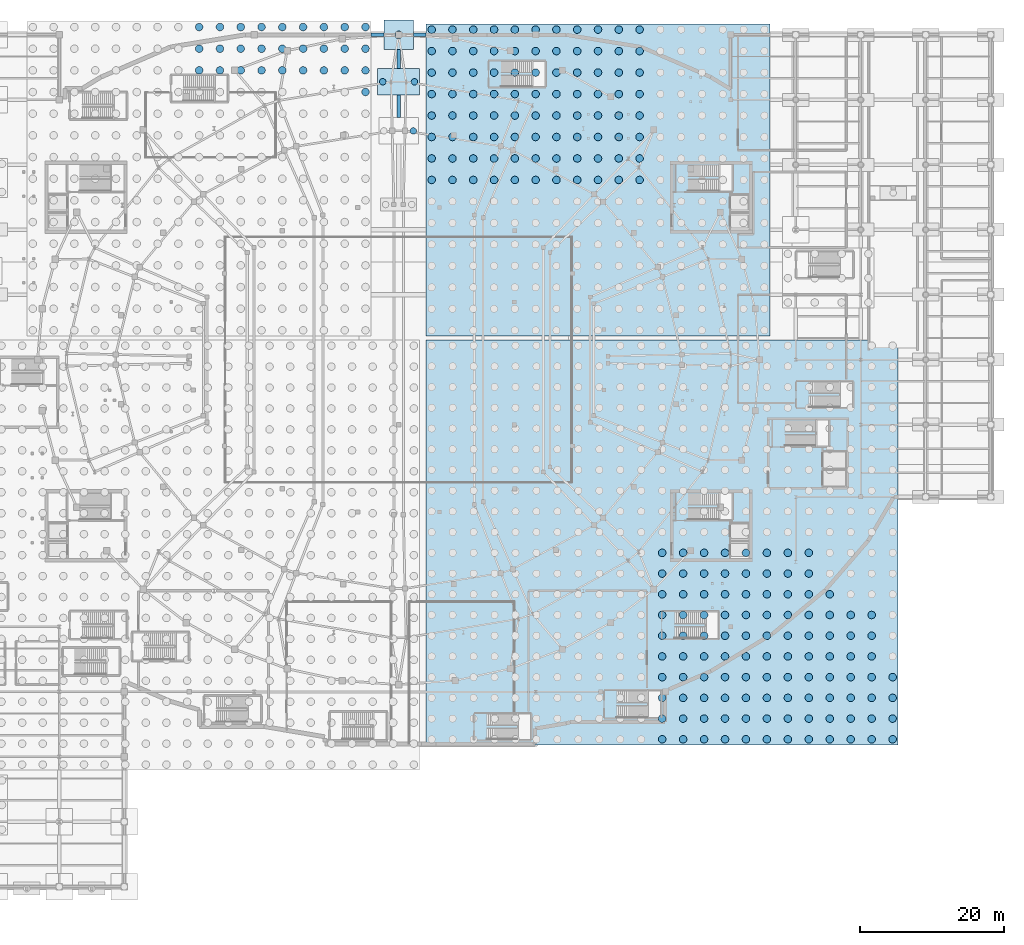
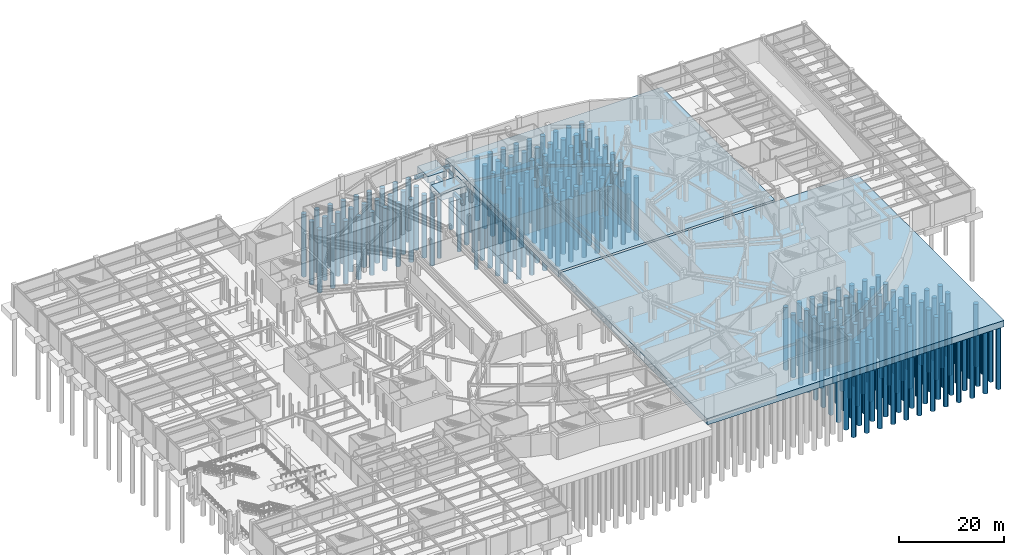
# One storey, part 7 of 56: 226 piles, 8 footings.
"""IFC4 building model written with IfcOpenShell, lengths in metres."""

from ifc_helpers import new_model, si_unit, direction, frame, origin, origin_2d, place, context, subcontext, project, spatial, polyline, rectangle, circle, outline, extrude, material, material_profile, profile_set, type_object, element, save


model = new_model("IFC4")

# Units and contexts
model_context = context("Model", 3, precision=1e-05, world=origin(), true_north=direction((0.0, 1.0)))
body_context = subcontext(model_context, "Body", "Model", "MODEL_VIEW")
ifc_project = project(units=[si_unit("LENGTHUNIT", "METRE"), si_unit("AREAUNIT", "SQUARE_METRE"), si_unit("VOLUMEUNIT", "CUBIC_METRE"), si_unit("PLANEANGLEUNIT", "RADIAN"), si_unit("MASSUNIT", "GRAM", prefix="KILO")], contexts=[model_context])

# Site, building, storey
site_placement = place(None, origin())
site = spatial("IfcSite", under=ifc_project, at=site_placement, CompositionType="ELEMENT")
building_placement = place(site_placement, origin())
building = spatial("IfcBuilding", under=site, at=building_placement, Name="Glasvene Arena", CompositionType="ELEMENT")
storey_placement = place(building_placement, frame((0.0, 0.0, -5.39990234375)))
storey = spatial("IfcBuildingStorey", under=building, at=storey_placement, Name="B1", CompositionType="ELEMENT", Elevation=-5.39990234375)

# Footings
ifc_material = material(Name="Concrete C40/50", Category="concrete")
footing_type_1 = type_object("IfcFootingType", Name="FT-FB-500x800", PredefinedType="FOOTING_BEAM", material=ifc_material)
footing_1_placement = place(storey_placement, frame((92.0, 108.091064453125, -1.25)))
element("IfcFooting", 1, at=footing_1_placement, inside=storey, type_object=footing_type_1, Name="Ground tie beam 0055", PredefinedType="FOOTING_BEAM", context=body_context, shape_type="SweptSolid", body=[
    extrude(outline(polyline([(-0.25, -1.549072265625), (0.25, -1.549072265625), (0.25, 1.548828125), (-0.25, 1.548828125), (-0.25, -1.549072265625)])), origin(), (0.0, 0.0, 1.0), 0.7998046875),
])
footing_2_placement = place(storey_placement, frame((92.0, 114.64501953125, -1.25)))
element("IfcFooting", 2, at=footing_2_placement, inside=storey, type_object=footing_type_1, Name="Ground tie beam 0056", PredefinedType="FOOTING_BEAM", context=body_context, shape_type="SweptSolid", body=[
    extrude(outline(polyline([(-0.25, -1.304931640625), (0.25, -1.304931640625), (0.25, 1.304931640625), (-0.25, 1.304931640625), (-0.25, -1.304931640625)])), origin(), (0.0, 0.0, 1.0), 0.7998046875),
])
footing_3_placement = place(storey_placement, frame((89.071044921875, 118.0, -1.25)))
element("IfcFooting", 3, at=footing_3_placement, inside=storey, type_object=footing_type_1, Name="Ground tie beam 0147", PredefinedType="FOOTING_BEAM", context=body_context, shape_type="SweptSolid", body=[
    extrude(outline(polyline([(-0.879150390625, -0.25), (0.87890625, -0.25), (0.87890625, 0.25), (-0.879150390625, 0.25), (-0.879150390625, -0.25)])), origin(), (0.0, 0.0, 1.0), 0.7998046875),
])
footing_4_placement = place(storey_placement, frame((94.928955078125, 118.0, -1.25)))
element("IfcFooting", 4, at=footing_4_placement, inside=storey, type_object=footing_type_1, Name="Ground tie beam 0148", PredefinedType="FOOTING_BEAM", context=body_context, shape_type="SweptSolid", body=[
    extrude(outline(polyline([(-0.87890625, -0.25), (0.879150390625, -0.25), (0.879150390625, 0.25), (-0.87890625, 0.25), (-0.87890625, -0.25)])), origin(), (0.0, 0.0, 1.0), 0.7998046875),
])
footing_type_2 = type_object("IfcFootingType", Name="FT-PC-410x410", PredefinedType="PILE_CAP", material=ifc_material)
footing_5_placement = place(storey_placement, frame((92.0, 118.0, -1.5), z_axis=(0.0, 0.0, 1.0), x_axis=(1.0, 0.0, 0.0)))
element("IfcFooting", 5, at=footing_5_placement, inside=storey, type_object=footing_type_2, Name="Pile cap 095", PredefinedType="PILE_CAP", context=body_context, shape_type="SweptSolid", body=[
    extrude(rectangle(XDim=4.10009765625, YDim=4.10009765625, at=origin_2d()), origin(), (0.0, 0.0, 1.0), 1.5),
])
footing_type_3 = type_object("IfcFootingType", Name="FT-PC-4763x4320", PredefinedType="PILE_CAP", material=ifc_material)
footing_6_placement = place(storey_placement, frame((119.62109375, 97.89501953125, -1.5), z_axis=(0.0, 0.0, 1.0), x_axis=(1.0, 0.0, 0.0)))
element("IfcFooting", 6, at=footing_6_placement, inside=storey, type_object=footing_type_3, Name="Pile cap 051", PredefinedType="PILE_CAP", context=body_context, shape_type="SweptSolid", body=[
    extrude(rectangle(XDim=47.6259765625, YDim=43.201904296875, at=origin_2d()), origin(), (0.0, 0.0, 1.0), 1.5),
])
footing_type_4 = type_object("IfcFootingType", Name="FT-PC-579x370", PredefinedType="PILE_CAP", material=ifc_material)
footing_7_placement = place(storey_placement, frame((92.0, 111.489990234375, -1.5), z_axis=(0.0, 0.0, 1.0), x_axis=(1.0, 0.0, 0.0)))
element("IfcFooting", 7, at=footing_7_placement, inside=storey, type_object=footing_type_4, Name="Pile cap 094", PredefinedType="PILE_CAP", context=body_context, shape_type="SweptSolid", body=[
    extrude(rectangle(XDim=5.7880859375, YDim=3.699951171875, at=origin_2d()), origin(), (0.0, 0.0, 1.0), 1.5),
])
footing_type_5 = type_object("IfcFootingType", Name="FT-PC-6539x5607", PredefinedType="PILE_CAP", material=ifc_material)
footing_8_placement = place(storey_placement, frame((128.50390625, 47.68701171875, -1.5), z_axis=(0.0, 0.0, 1.0), x_axis=(1.0, 0.0, 0.0)))
element("IfcFooting", 8, at=footing_8_placement, inside=storey, type_object=footing_type_5, Name="Pile cap 023", PredefinedType="PILE_CAP", context=body_context, shape_type="SweptSolid", body=[
    extrude(rectangle(XDim=65.39208984375, YDim=56.073974609375, at=origin_2d()), origin(), (0.0, 0.0, 1.0), 1.5),
])

# Piles
ifc_material_profile_1 = material_profile(ifc_material, circle(Radius=0.52490234375, at=origin_2d()), Name="BORED PILE 1050")
ifc_profile_set_1 = profile_set([ifc_material_profile_1], Name="Concrete C40/50")
pile_type_1 = type_object("IfcPileType", Name="PL-BP1050", PredefinedType="BORED", material=ifc_profile_set_1)
for number, where, z_axis, x_axis, name in (
    (9, (128.50390625, 20.425048828125, -1.35009765625), (0.0, 0.0, -1.0), (1.0, 0.0, 0.0), "Bored pile 0810"),
    (10, (128.50390625, 23.294677734375, -1.35009765625), (0.0, 0.0, -1.0), (1.0, 0.0, 0.0), "Bored pile 0811"),
    (11, (128.50390625, 26.164306640625, -1.35009765625), (0.0, 0.0, -1.0), (1.0, 0.0, 0.0), "Bored pile 0812"),
    (12, (128.50390625, 29.0341796875, -1.35009765625), (0.0, 0.0, -1.0), (1.0, 0.0, 0.0), "Bored pile 0813"),
    (13, (128.50390625, 31.90380859375, -1.35009765625), (0.0, 0.0, -1.0), (1.0, 0.0, 0.0), "Bored pile 0814"),
    (14, (128.50390625, 34.7734375, -1.35009765625), (0.0, 0.0, -1.0), (1.0, 0.0, 0.0), "Bored pile 0815"),
    (15, (128.50390625, 37.64306640625, -1.35009765625), (0.0, 0.0, -1.0), (1.0, 0.0, 0.0), "Bored pile 0816"),
    (16, (128.50390625, 40.5126953125, -1.35009765625), (0.0, 0.0, -1.0), (1.0, 0.0, 0.0), "Bored pile 0817"),
    (17, (128.50390625, 43.382568359375, -1.35009765625), (0.0, 0.0, -1.0), (1.0, 0.0, 0.0), "Bored pile 0818"),
    (18, (128.50390625, 46.252197265625, -1.35009765625), (0.0, 0.0, -1.0), (1.0, 0.0, 0.0), "Bored pile 0819"),
    (19, (131.406005859375, 20.425048828125, -1.35009765625), (0.0, 0.0, -1.0), (1.0, 0.0, 0.0), "Bored pile 0830"),
    (20, (131.406005859375, 23.294677734375, -1.35009765625), (0.0, 0.0, -1.0), (1.0, 0.0, 0.0), "Bored pile 0831"),
    (21, (131.406005859375, 26.164306640625, -1.35009765625), (0.0, 0.0, -1.0), (1.0, 0.0, 0.0), "Bored pile 0832"),
    (22, (131.406005859375, 29.0341796875, -1.35009765625), (0.0, 0.0, -1.0), (1.0, 0.0, 0.0), "Bored pile 0833"),
    (23, (131.406005859375, 31.90380859375, -1.35009765625), (0.0, 0.0, -1.0), (1.0, 0.0, 0.0), "Bored pile 0834"),
    (24, (131.406005859375, 34.7734375, -1.35009765625), (0.0, 0.0, -1.0), (1.0, 0.0, 0.0), "Bored pile 0835"),
    (25, (131.406005859375, 37.64306640625, -1.35009765625), (0.0, 0.0, -1.0), (1.0, 0.0, 0.0), "Bored pile 0836"),
    (26, (131.406005859375, 40.5126953125, -1.35009765625), (0.0, 0.0, -1.0), (1.0, 0.0, 0.0), "Bored pile 0837"),
    (27, (131.406005859375, 43.382568359375, -1.35009765625), (0.0, 0.0, -1.0), (1.0, 0.0, 0.0), "Bored pile 0838"),
    (28, (131.406005859375, 46.252197265625, -1.35009765625), (0.0, 0.0, -1.0), (1.0, 0.0, 0.0), "Bored pile 0839"),
    (29, (134.307861328125, 20.425048828125, -1.35009765625), (0.0, 0.0, -1.0), (1.0, 0.0, 0.0), "Bored pile 0850"),
    (30, (134.307861328125, 23.294677734375, -1.35009765625), (0.0, 0.0, -1.0), (1.0, 0.0, 0.0), "Bored pile 0851"),
    (31, (134.307861328125, 26.164306640625, -1.35009765625), (0.0, 0.0, -1.0), (1.0, 0.0, 0.0), "Bored pile 0852"),
    (32, (134.307861328125, 29.0341796875, -1.35009765625), (0.0, 0.0, -1.0), (1.0, 0.0, 0.0), "Bored pile 0853"),
    (33, (134.307861328125, 31.90380859375, -1.35009765625), (0.0, 0.0, -1.0), (1.0, 0.0, 0.0), "Bored pile 0854"),
    (34, (134.307861328125, 34.7734375, -1.35009765625), (0.0, 0.0, -1.0), (1.0, 0.0, 0.0), "Bored pile 0855"),
    (35, (134.307861328125, 37.64306640625, -1.35009765625), (0.0, 0.0, -1.0), (1.0, 0.0, 0.0), "Bored pile 0856"),
    (36, (134.307861328125, 40.5126953125, -1.35009765625), (0.0, 0.0, -1.0), (1.0, 0.0, 0.0), "Bored pile 0857"),
    (37, (134.307861328125, 43.382568359375, -1.35009765625), (0.0, 0.0, -1.0), (1.0, 0.0, 0.0), "Bored pile 0858"),
    (38, (134.307861328125, 46.252197265625, -1.35009765625), (0.0, 0.0, -1.0), (1.0, 0.0, 0.0), "Bored pile 0859"),
    (39, (137.209716796875, 20.425048828125, -1.35009765625), (0.0, 0.0, -1.0), (1.0, 0.0, 0.0), "Bored pile 0870"),
    (40, (137.209716796875, 23.294677734375, -1.35009765625), (0.0, 0.0, -1.0), (1.0, 0.0, 0.0), "Bored pile 0871"),
    (41, (137.209716796875, 26.164306640625, -1.35009765625), (0.0, 0.0, -1.0), (1.0, 0.0, 0.0), "Bored pile 0872"),
    (42, (137.209716796875, 29.0341796875, -1.35009765625), (0.0, 0.0, -1.0), (1.0, 0.0, 0.0), "Bored pile 0873"),
    (43, (137.209716796875, 31.90380859375, -1.35009765625), (0.0, 0.0, -1.0), (1.0, 0.0, 0.0), "Bored pile 0874"),
    (44, (137.209716796875, 34.7734375, -1.35009765625), (0.0, 0.0, -1.0), (1.0, 0.0, 0.0), "Bored pile 0875"),
    (45, (137.209716796875, 37.64306640625, -1.35009765625), (0.0, 0.0, -1.0), (1.0, 0.0, 0.0), "Bored pile 0876"),
    (46, (137.209716796875, 40.5126953125, -1.35009765625), (0.0, 0.0, -1.0), (1.0, 0.0, 0.0), "Bored pile 0877"),
    (47, (137.209716796875, 43.382568359375, -1.35009765625), (0.0, 0.0, -1.0), (1.0, 0.0, 0.0), "Bored pile 0878"),
    (48, (137.209716796875, 46.252197265625, -1.35009765625), (0.0, 0.0, -1.0), (1.0, 0.0, 0.0), "Bored pile 0879"),
    (49, (140.111572265625, 20.425048828125, -1.35009765625), (0.0, 0.0, -1.0), (1.0, 0.0, 0.0), "Bored pile 0890"),
    (50, (140.111572265625, 23.294677734375, -1.35009765625), (0.0, 0.0, -1.0), (1.0, 0.0, 0.0), "Bored pile 0891"),
    (51, (140.111572265625, 26.164306640625, -1.35009765625), (0.0, 0.0, -1.0), (1.0, 0.0, 0.0), "Bored pile 0892"),
    (52, (140.111572265625, 29.0341796875, -1.35009765625), (0.0, 0.0, -1.0), (1.0, 0.0, 0.0), "Bored pile 0893"),
    (53, (140.111572265625, 31.90380859375, -1.35009765625), (0.0, 0.0, -1.0), (1.0, 0.0, 0.0), "Bored pile 0894"),
    (54, (140.111572265625, 34.7734375, -1.35009765625), (0.0, 0.0, -1.0), (1.0, 0.0, 0.0), "Bored pile 0895"),
    (55, (140.111572265625, 37.64306640625, -1.35009765625), (0.0, 0.0, -1.0), (1.0, 0.0, 0.0), "Bored pile 0896"),
    (56, (140.111572265625, 40.5126953125, -1.35009765625), (0.0, 0.0, -1.0), (1.0, 0.0, 0.0), "Bored pile 0897"),
    (57, (140.111572265625, 43.382568359375, -1.35009765625), (0.0, 0.0, -1.0), (1.0, 0.0, 0.0), "Bored pile 0898"),
    (58, (140.111572265625, 46.252197265625, -1.35009765625), (0.0, 0.0, -1.0), (1.0, 0.0, 0.0), "Bored pile 0899"),
    (59, (143.013427734375, 20.425048828125, -1.35009765625), (0.0, 0.0, -1.0), (1.0, 0.0, 0.0), "Bored pile 0910"),
    (60, (143.013427734375, 23.294677734375, -1.35009765625), (0.0, 0.0, -1.0), (1.0, 0.0, 0.0), "Bored pile 0911"),
    (61, (143.013427734375, 26.164306640625, -1.35009765625), (0.0, 0.0, -1.0), (1.0, 0.0, 0.0), "Bored pile 0912"),
    (62, (143.013427734375, 29.0341796875, -1.35009765625), (0.0, 0.0, -1.0), (1.0, 0.0, 0.0), "Bored pile 0913"),
    (63, (143.013427734375, 31.90380859375, -1.35009765625), (0.0, 0.0, -1.0), (1.0, 0.0, 0.0), "Bored pile 0914"),
    (64, (143.013427734375, 34.7734375, -1.35009765625), (0.0, 0.0, -1.0), (1.0, 0.0, 0.0), "Bored pile 0915"),
    (65, (143.013427734375, 37.64306640625, -1.35009765625), (0.0, 0.0, -1.0), (1.0, 0.0, 0.0), "Bored pile 0916"),
    (66, (143.013427734375, 40.5126953125, -1.35009765625), (0.0, 0.0, -1.0), (1.0, 0.0, 0.0), "Bored pile 0917"),
    (67, (143.013427734375, 43.382568359375, -1.35009765625), (0.0, 0.0, -1.0), (1.0, 0.0, 0.0), "Bored pile 0918"),
    (68, (143.013427734375, 46.252197265625, -1.35009765625), (0.0, 0.0, -1.0), (1.0, 0.0, 0.0), "Bored pile 0919"),
    (69, (145.91552734375, 20.425048828125, -1.35009765625), (0.0, 0.0, -1.0), (1.0, 0.0, 0.0), "Bored pile 0930"),
    (70, (145.91552734375, 23.294677734375, -1.35009765625), (0.0, 0.0, -1.0), (1.0, 0.0, 0.0), "Bored pile 0931"),
    (71, (145.91552734375, 26.164306640625, -1.35009765625), (0.0, 0.0, -1.0), (1.0, 0.0, 0.0), "Bored pile 0932"),
    (72, (145.91552734375, 29.0341796875, -1.35009765625), (0.0, 0.0, -1.0), (1.0, 0.0, 0.0), "Bored pile 0933"),
    (73, (145.91552734375, 31.90380859375, -1.35009765625), (0.0, 0.0, -1.0), (1.0, 0.0, 0.0), "Bored pile 0934"),
    (74, (145.91552734375, 34.7734375, -1.35009765625), (0.0, 0.0, -1.0), (1.0, 0.0, 0.0), "Bored pile 0935"),
    (75, (145.91552734375, 37.64306640625, -1.35009765625), (0.0, 0.0, -1.0), (1.0, 0.0, 0.0), "Bored pile 0936"),
    (76, (145.91552734375, 40.5126953125, -1.35009765625), (0.0, 0.0, -1.0), (1.0, 0.0, 0.0), "Bored pile 0937"),
    (77, (145.91552734375, 43.382568359375, -1.35009765625), (0.0, 0.0, -1.0), (1.0, 0.0, 0.0), "Bored pile 0938"),
    (78, (145.91552734375, 46.252197265625, -1.35009765625), (0.0, 0.0, -1.0), (1.0, 0.0, 0.0), "Bored pile 0939"),
    (79, (148.8173828125, 20.425048828125, -1.35009765625), (0.0, 0.0, -1.0), (1.0, 0.0, 0.0), "Bored pile 0950"),
    (80, (148.8173828125, 23.294677734375, -1.35009765625), (0.0, 0.0, -1.0), (1.0, 0.0, 0.0), "Bored pile 0951"),
    (81, (148.8173828125, 26.164306640625, -1.35009765625), (0.0, 0.0, -1.0), (1.0, 0.0, 0.0), "Bored pile 0952"),
    (82, (148.8173828125, 29.0341796875, -1.35009765625), (0.0, 0.0, -1.0), (1.0, 0.0, 0.0), "Bored pile 0953"),
    (83, (148.8173828125, 31.90380859375, -1.35009765625), (0.0, 0.0, -1.0), (1.0, 0.0, 0.0), "Bored pile 0954"),
    (84, (148.8173828125, 34.7734375, -1.35009765625), (0.0, 0.0, -1.0), (1.0, 0.0, 0.0), "Bored pile 0955"),
    (85, (148.8173828125, 37.64306640625, -1.35009765625), (0.0, 0.0, -1.0), (1.0, 0.0, 0.0), "Bored pile 0956"),
    (86, (148.8173828125, 40.5126953125, -1.35009765625), (0.0, 0.0, -1.0), (1.0, 0.0, 0.0), "Bored pile 0957"),
    (87, (148.8173828125, 43.382568359375, -1.35009765625), (0.0, 0.0, -1.0), (1.0, 0.0, 0.0), "Bored pile 0958"),
    (88, (148.8173828125, 46.252197265625, -1.35009765625), (0.0, 0.0, -1.0), (1.0, 0.0, 0.0), "Bored pile 0959"),
    (89, (151.71923828125, 20.425048828125, -1.35009765625), (0.0, 0.0, -1.0), (1.0, 0.0, 0.0), "Bored pile 0970"),
    (90, (151.71923828125, 23.294677734375, -1.35009765625), (0.0, 0.0, -1.0), (1.0, 0.0, 0.0), "Bored pile 0971"),
    (91, (151.71923828125, 26.164306640625, -1.35009765625), (0.0, 0.0, -1.0), (1.0, 0.0, 0.0), "Bored pile 0972"),
    (92, (151.71923828125, 29.0341796875, -1.35009765625), (0.0, 0.0, -1.0), (1.0, 0.0, 0.0), "Bored pile 0973"),
    (93, (151.71923828125, 31.90380859375, -1.35009765625), (0.0, 0.0, -1.0), (1.0, 0.0, 0.0), "Bored pile 0974"),
    (94, (151.71923828125, 34.7734375, -1.35009765625), (0.0, 0.0, -1.0), (1.0, 0.0, 0.0), "Bored pile 0975"),
    (95, (151.71923828125, 37.64306640625, -1.35009765625), (0.0, 0.0, -1.0), (1.0, 0.0, 0.0), "Bored pile 0976"),
    (96, (151.71923828125, 40.5126953125, -1.35009765625), (0.0, 0.0, -1.0), (1.0, 0.0, 0.0), "Bored pile 0977"),
    (97, (154.62109375, 20.425048828125, -1.35009765625), (0.0, 0.0, -1.0), (1.0, 0.0, 0.0), "Bored pile 0990"),
    (98, (154.62109375, 23.294677734375, -1.35009765625), (0.0, 0.0, -1.0), (1.0, 0.0, 0.0), "Bored pile 0991"),
    (99, (154.62109375, 26.164306640625, -1.35009765625), (0.0, 0.0, -1.0), (1.0, 0.0, 0.0), "Bored pile 0992"),
    (100, (154.62109375, 29.0341796875, -1.35009765625), (0.0, 0.0, -1.0), (1.0, 0.0, 0.0), "Bored pile 0993"),
    (101, (154.62109375, 31.90380859375, -1.35009765625), (0.0, 0.0, -1.0), (1.0, 0.0, 0.0), "Bored pile 0994"),
    (102, (154.62109375, 34.7734375, -1.35009765625), (0.0, 0.0, -1.0), (1.0, 0.0, 0.0), "Bored pile 0995"),
    (103, (154.62109375, 37.64306640625, -1.35009765625), (0.0, 0.0, -1.0), (1.0, 0.0, 0.0), "Bored pile 0996"),
    (104, (157.523193359375, 20.425048828125, -1.35009765625), (0.0, 0.0, -1.0), (1.0, 0.0, 0.0), "Bored pile 1010"),
    (105, (157.523193359375, 23.294677734375, -1.35009765625), (0.0, 0.0, -1.0), (1.0, 0.0, 0.0), "Bored pile 1011"),
    (106, (157.523193359375, 26.164306640625, -1.35009765625), (0.0, 0.0, -1.0), (1.0, 0.0, 0.0), "Bored pile 1012"),
    (107, (157.523193359375, 29.0341796875, -1.35009765625), (0.0, 0.0, -1.0), (1.0, 0.0, 0.0), "Bored pile 1013"),
    (108, (157.523193359375, 31.90380859375, -1.35009765625), (0.0, 0.0, -1.0), (1.0, 0.0, 0.0), "Bored pile 1014"),
    (109, (157.523193359375, 34.7734375, -1.35009765625), (0.0, 0.0, -1.0), (1.0, 0.0, 0.0), "Bored pile 1015"),
    (110, (157.523193359375, 37.64306640625, -1.35009765625), (0.0, 0.0, -1.0), (1.0, 0.0, 0.0), "Bored pile 1016"),
    (111, (160.425048828125, 20.425048828125, -1.35009765625), (0.0, 0.0, -1.0), (1.0, 0.0, 0.0), "Bored pile 1030"),
    (112, (160.425048828125, 23.294677734375, -1.35009765625), (0.0, 0.0, -1.0), (1.0, 0.0, 0.0), "Bored pile 1031"),
    (113, (160.425048828125, 26.164306640625, -1.35009765625), (0.0, 0.0, -1.0), (1.0, 0.0, 0.0), "Bored pile 1032"),
    (114, (160.425048828125, 29.0341796875, -1.35009765625), (0.0, 0.0, -1.0), (1.0, 0.0, 0.0), "Bored pile 1033"),
    (115, (64.37890625, 113.07421875, -1.35009765625), (0.0, 0.0, -1.0), (1.0, 0.0, 0.0), "Bored pile 1219"),
    (116, (64.37890625, 116.07470703125, -1.35009765625), (0.0, 0.0, -1.0), (1.0, 0.0, 0.0), "Bored pile 1220"),
    (117, (64.37890625, 119.074951171875, -1.35009765625), (0.0, 0.0, -1.0), (1.0, 0.0, 0.0), "Bored pile 1221"),
    (118, (67.2587890625, 113.07421875, -1.35009765625), (0.0, 0.0, -1.0), (1.0, 0.0, 0.0), "Bored pile 1234"),
    (119, (67.2587890625, 116.07470703125, -1.35009765625), (0.0, 0.0, -1.0), (1.0, 0.0, 0.0), "Bored pile 1235"),
    (120, (67.2587890625, 119.074951171875, -1.35009765625), (0.0, 0.0, -1.0), (1.0, 0.0, 0.0), "Bored pile 1236"),
    (121, (70.138427734375, 113.07421875, -1.35009765625), (0.0, 0.0, -1.0), (1.0, 0.0, 0.0), "Bored pile 1249"),
    (122, (70.138427734375, 116.07470703125, -1.35009765625), (0.0, 0.0, -1.0), (1.0, 0.0, 0.0), "Bored pile 1250"),
    (123, (70.138427734375, 119.074951171875, -1.35009765625), (0.0, 0.0, -1.0), (1.0, 0.0, 0.0), "Bored pile 1251"),
    (124, (73.018310546875, 113.07421875, -1.35009765625), (0.0, 0.0, -1.0), (1.0, 0.0, 0.0), "Bored pile 1264"),
    (125, (73.018310546875, 116.07470703125, -1.35009765625), (0.0, 0.0, -1.0), (1.0, 0.0, 0.0), "Bored pile 1265"),
    (126, (73.018310546875, 119.074951171875, -1.35009765625), (0.0, 0.0, -1.0), (1.0, 0.0, 0.0), "Bored pile 1266"),
    (127, (75.89794921875, 113.07421875, -1.35009765625), (0.0, 0.0, -1.0), (1.0, 0.0, 0.0), "Bored pile 1279"),
    (128, (75.89794921875, 116.07470703125, -1.35009765625), (0.0, 0.0, -1.0), (1.0, 0.0, 0.0), "Bored pile 1280"),
    (129, (75.89794921875, 119.074951171875, -1.35009765625), (0.0, 0.0, -1.0), (1.0, 0.0, 0.0), "Bored pile 1281"),
    (130, (78.777587890625, 113.07421875, -1.35009765625), (0.0, 0.0, -1.0), (1.0, 0.0, 0.0), "Bored pile 1294"),
    (131, (78.777587890625, 116.07470703125, -1.35009765625), (0.0, 0.0, -1.0), (1.0, 0.0, 0.0), "Bored pile 1295"),
    (132, (78.777587890625, 119.074951171875, -1.35009765625), (0.0, 0.0, -1.0), (1.0, 0.0, 0.0), "Bored pile 1296"),
    (133, (81.657470703125, 113.07421875, -1.35009765625), (0.0, 0.0, -1.0), (1.0, 0.0, 0.0), "Bored pile 1309"),
    (134, (81.657470703125, 116.07470703125, -1.35009765625), (0.0, 0.0, -1.0), (1.0, 0.0, 0.0), "Bored pile 1310"),
    (135, (81.657470703125, 119.074951171875, -1.35009765625), (0.0, 0.0, -1.0), (1.0, 0.0, 0.0), "Bored pile 1311"),
    (136, (84.537353515625, 113.07421875, -1.35009765625), (0.0, 0.0, -1.0), (1.0, 0.0, 0.0), "Bored pile 1324"),
    (137, (84.537353515625, 116.07470703125, -1.35009765625), (0.0, 0.0, -1.0), (1.0, 0.0, 0.0), "Bored pile 1325"),
    (138, (84.537353515625, 119.074951171875, -1.35009765625), (0.0, 0.0, -1.0), (1.0, 0.0, 0.0), "Bored pile 1326"),
    (139, (87.4169921875, 110.07373046875, -1.35009765625), (0.0, 0.0, -1.0), (1.0, 0.0, 0.0), "Bored pile 1338"),
    (140, (87.4169921875, 113.07421875, -1.35009765625), (0.0, 0.0, -1.0), (1.0, 0.0, 0.0), "Bored pile 1339"),
    (141, (87.4169921875, 116.07470703125, -1.35009765625), (0.0, 0.0, -1.0), (1.0, 0.0, 0.0), "Bored pile 1340"),
    (142, (87.4169921875, 119.074951171875, -1.35009765625), (0.0, 0.0, -1.0), (1.0, 0.0, 0.0), "Bored pile 1341"),
    (143, (96.5830078125, 97.89501953125, -1.35009765625), (0.0, 0.0, -1.0), (1.0, 0.0, 0.0), "Bored pile 1349"),
    (144, (96.5830078125, 100.8701171875, -1.35009765625), (0.0, 0.0, -1.0), (1.0, 0.0, 0.0), "Bored pile 1350"),
    (145, (96.5830078125, 103.84521484375, -1.35009765625), (0.0, 0.0, -1.0), (1.0, 0.0, 0.0), "Bored pile 1351"),
    (146, (96.5830078125, 106.8203125, -1.35009765625), (0.0, 0.0, -1.0), (1.0, 0.0, 0.0), "Bored pile 1352"),
    (147, (96.5830078125, 109.795654296875, -1.35009765625), (0.0, 0.0, -1.0), (1.0, 0.0, 0.0), "Bored pile 1353"),
    (148, (96.5830078125, 112.770751953125, -1.35009765625), (0.0, 0.0, -1.0), (1.0, 0.0, 0.0), "Bored pile 1354"),
    (149, (96.5830078125, 115.745849609375, -1.35009765625), (0.0, 0.0, -1.0), (1.0, 0.0, 0.0), "Bored pile 1355"),
    (150, (96.5830078125, 118.720947265625, -1.35009765625), (0.0, 0.0, -1.0), (1.0, 0.0, 0.0), "Bored pile 1356"),
    (151, (99.462890625, 97.89501953125, -1.35009765625), (0.0, 0.0, -1.0), (1.0, 0.0, 0.0), "Bored pile 1364"),
    (152, (99.462890625, 100.8701171875, -1.35009765625), (0.0, 0.0, -1.0), (1.0, 0.0, 0.0), "Bored pile 1365"),
    (153, (99.462890625, 103.84521484375, -1.35009765625), (0.0, 0.0, -1.0), (1.0, 0.0, 0.0), "Bored pile 1366"),
    (154, (99.462890625, 106.8203125, -1.35009765625), (0.0, 0.0, -1.0), (1.0, 0.0, 0.0), "Bored pile 1367"),
    (155, (99.462890625, 109.795654296875, -1.35009765625), (0.0, 0.0, -1.0), (1.0, 0.0, 0.0), "Bored pile 1368"),
    (156, (99.462890625, 112.770751953125, -1.35009765625), (0.0, 0.0, -1.0), (1.0, 0.0, 0.0), "Bored pile 1369"),
    (157, (99.462890625, 115.745849609375, -1.35009765625), (0.0, 0.0, -1.0), (1.0, 0.0, 0.0), "Bored pile 1370"),
    (158, (99.462890625, 118.720947265625, -1.35009765625), (0.0, 0.0, -1.0), (1.0, 0.0, 0.0), "Bored pile 1371"),
    (159, (102.342529296875, 97.89501953125, -1.35009765625), (0.0, 0.0, -1.0), (1.0, 0.0, 0.0), "Bored pile 1379"),
    (160, (102.342529296875, 100.8701171875, -1.35009765625), (0.0, 0.0, -1.0), (1.0, 0.0, 0.0), "Bored pile 1380"),
    (161, (102.342529296875, 103.84521484375, -1.35009765625), (0.0, 0.0, -1.0), (1.0, 0.0, 0.0), "Bored pile 1381"),
    (162, (102.342529296875, 106.8203125, -1.35009765625), (0.0, 0.0, -1.0), (1.0, 0.0, 0.0), "Bored pile 1382"),
    (163, (102.342529296875, 109.795654296875, -1.35009765625), (0.0, 0.0, -1.0), (1.0, 0.0, 0.0), "Bored pile 1383"),
    (164, (102.342529296875, 112.770751953125, -1.35009765625), (0.0, 0.0, -1.0), (1.0, 0.0, 0.0), "Bored pile 1384"),
    (165, (102.342529296875, 115.745849609375, -1.35009765625), (0.0, 0.0, -1.0), (1.0, 0.0, 0.0), "Bored pile 1385"),
    (166, (102.342529296875, 118.720947265625, -1.35009765625), (0.0, 0.0, -1.0), (1.0, 0.0, 0.0), "Bored pile 1386"),
    (167, (105.222412109375, 97.89501953125, -1.35009765625), (0.0, 0.0, -1.0), (1.0, 0.0, 0.0), "Bored pile 1394"),
    (168, (105.222412109375, 100.8701171875, -1.35009765625), (0.0, 0.0, -1.0), (1.0, 0.0, 0.0), "Bored pile 1395"),
    (169, (105.222412109375, 103.84521484375, -1.35009765625), (0.0, 0.0, -1.0), (1.0, 0.0, 0.0), "Bored pile 1396"),
    (170, (105.222412109375, 106.8203125, -1.35009765625), (0.0, 0.0, -1.0), (1.0, 0.0, 0.0), "Bored pile 1397"),
    (171, (105.222412109375, 109.795654296875, -1.35009765625), (0.0, 0.0, -1.0), (1.0, 0.0, 0.0), "Bored pile 1398"),
    (172, (105.222412109375, 112.770751953125, -1.35009765625), (0.0, 0.0, -1.0), (1.0, 0.0, 0.0), "Bored pile 1399"),
    (173, (105.222412109375, 115.745849609375, -1.35009765625), (0.0, 0.0, -1.0), (1.0, 0.0, 0.0), "Bored pile 1400"),
    (174, (105.222412109375, 118.720947265625, -1.35009765625), (0.0, 0.0, -1.0), (1.0, 0.0, 0.0), "Bored pile 1401"),
    (175, (108.10205078125, 97.89501953125, -1.35009765625), (0.0, 0.0, -1.0), (1.0, 0.0, 0.0), "Bored pile 1409"),
    (176, (108.10205078125, 100.8701171875, -1.35009765625), (0.0, 0.0, -1.0), (1.0, 0.0, 0.0), "Bored pile 1410"),
    (177, (108.10205078125, 103.84521484375, -1.35009765625), (0.0, 0.0, -1.0), (1.0, 0.0, 0.0), "Bored pile 1411"),
    (178, (108.10205078125, 106.8203125, -1.35009765625), (0.0, 0.0, -1.0), (1.0, 0.0, 0.0), "Bored pile 1412"),
    (179, (108.10205078125, 109.795654296875, -1.35009765625), (0.0, 0.0, -1.0), (1.0, 0.0, 0.0), "Bored pile 1413"),
    (180, (108.10205078125, 112.770751953125, -1.35009765625), (0.0, 0.0, -1.0), (1.0, 0.0, 0.0), "Bored pile 1414"),
    (181, (108.10205078125, 115.745849609375, -1.35009765625), (0.0, 0.0, -1.0), (1.0, 0.0, 0.0), "Bored pile 1415"),
    (182, (108.10205078125, 118.720947265625, -1.35009765625), (0.0, 0.0, -1.0), (1.0, 0.0, 0.0), "Bored pile 1416"),
    (183, (110.981689453125, 97.89501953125, -1.35009765625), (0.0, 0.0, -1.0), (1.0, 0.0, 0.0), "Bored pile 1424"),
    (184, (110.981689453125, 100.8701171875, -1.35009765625), (0.0, 0.0, -1.0), (1.0, 0.0, 0.0), "Bored pile 1425"),
    (185, (110.981689453125, 103.84521484375, -1.35009765625), (0.0, 0.0, -1.0), (1.0, 0.0, 0.0), "Bored pile 1426"),
    (186, (110.981689453125, 106.8203125, -1.35009765625), (0.0, 0.0, -1.0), (1.0, 0.0, 0.0), "Bored pile 1427"),
    (187, (110.981689453125, 109.795654296875, -1.35009765625), (0.0, 0.0, -1.0), (1.0, 0.0, 0.0), "Bored pile 1428"),
    (188, (110.981689453125, 112.770751953125, -1.35009765625), (0.0, 0.0, -1.0), (1.0, 0.0, 0.0), "Bored pile 1429"),
    (189, (110.981689453125, 115.745849609375, -1.35009765625), (0.0, 0.0, -1.0), (1.0, 0.0, 0.0), "Bored pile 1430"),
    (190, (110.981689453125, 118.720947265625, -1.35009765625), (0.0, 0.0, -1.0), (1.0, 0.0, 0.0), "Bored pile 1431"),
    (191, (113.861572265625, 97.89501953125, -1.35009765625), (0.0, 0.0, -1.0), (1.0, 0.0, 0.0), "Bored pile 1439"),
    (192, (113.861572265625, 100.8701171875, -1.35009765625), (0.0, 0.0, -1.0), (1.0, 0.0, 0.0), "Bored pile 1440"),
    (193, (113.861572265625, 103.84521484375, -1.35009765625), (0.0, 0.0, -1.0), (1.0, 0.0, 0.0), "Bored pile 1441"),
    (194, (113.861572265625, 106.8203125, -1.35009765625), (0.0, 0.0, -1.0), (1.0, 0.0, 0.0), "Bored pile 1442"),
    (195, (113.861572265625, 109.795654296875, -1.35009765625), (0.0, 0.0, -1.0), (1.0, 0.0, 0.0), "Bored pile 1443"),
    (196, (113.861572265625, 112.770751953125, -1.35009765625), (0.0, 0.0, -1.0), (1.0, 0.0, 0.0), "Bored pile 1444"),
    (197, (113.861572265625, 115.745849609375, -1.35009765625), (0.0, 0.0, -1.0), (1.0, 0.0, 0.0), "Bored pile 1445"),
    (198, (113.861572265625, 118.720947265625, -1.35009765625), (0.0, 0.0, -1.0), (1.0, 0.0, 0.0), "Bored pile 1446"),
    (199, (116.7412109375, 97.89501953125, -1.35009765625), (0.0, 0.0, -1.0), (1.0, 0.0, 0.0), "Bored pile 1454"),
    (200, (116.7412109375, 100.8701171875, -1.35009765625), (0.0, 0.0, -1.0), (1.0, 0.0, 0.0), "Bored pile 1455"),
    (201, (116.7412109375, 103.84521484375, -1.35009765625), (0.0, 0.0, -1.0), (1.0, 0.0, 0.0), "Bored pile 1456"),
    (202, (116.7412109375, 106.8203125, -1.35009765625), (0.0, 0.0, -1.0), (1.0, 0.0, 0.0), "Bored pile 1457"),
    (203, (116.7412109375, 109.795654296875, -1.35009765625), (0.0, 0.0, -1.0), (1.0, 0.0, 0.0), "Bored pile 1458"),
    (204, (116.7412109375, 112.770751953125, -1.35009765625), (0.0, 0.0, -1.0), (1.0, 0.0, 0.0), "Bored pile 1459"),
    (205, (116.7412109375, 115.745849609375, -1.35009765625), (0.0, 0.0, -1.0), (1.0, 0.0, 0.0), "Bored pile 1460"),
    (206, (116.7412109375, 118.720947265625, -1.35009765625), (0.0, 0.0, -1.0), (1.0, 0.0, 0.0), "Bored pile 1461"),
    (207, (119.62109375, 97.89501953125, -1.35009765625), (0.0, 0.0, -1.0), (1.0, 0.0, 0.0), "Bored pile 1469"),
    (208, (119.62109375, 100.8701171875, -1.35009765625), (0.0, 0.0, -1.0), (1.0, 0.0, 0.0), "Bored pile 1470"),
    (209, (119.62109375, 103.84521484375, -1.35009765625), (0.0, 0.0, -1.0), (1.0, 0.0, 0.0), "Bored pile 1471"),
    (210, (119.62109375, 106.8203125, -1.35009765625), (0.0, 0.0, -1.0), (1.0, 0.0, 0.0), "Bored pile 1472"),
    (211, (119.62109375, 109.795654296875, -1.35009765625), (0.0, 0.0, -1.0), (1.0, 0.0, 0.0), "Bored pile 1473"),
    (212, (119.62109375, 112.770751953125, -1.35009765625), (0.0, 0.0, -1.0), (1.0, 0.0, 0.0), "Bored pile 1474"),
    (213, (119.62109375, 115.745849609375, -1.35009765625), (0.0, 0.0, -1.0), (1.0, 0.0, 0.0), "Bored pile 1475"),
    (214, (119.62109375, 118.720947265625, -1.35009765625), (0.0, 0.0, -1.0), (1.0, 0.0, 0.0), "Bored pile 1476"),
    (215, (122.500732421875, 97.89501953125, -1.35009765625), (0.0, 0.0, -1.0), (1.0, 0.0, 0.0), "Bored pile 1484"),
    (216, (122.500732421875, 100.8701171875, -1.35009765625), (0.0, 0.0, -1.0), (1.0, 0.0, 0.0), "Bored pile 1485"),
    (217, (122.500732421875, 103.84521484375, -1.35009765625), (0.0, 0.0, -1.0), (1.0, 0.0, 0.0), "Bored pile 1486"),
    (218, (122.500732421875, 106.8203125, -1.35009765625), (0.0, 0.0, -1.0), (1.0, 0.0, 0.0), "Bored pile 1487"),
    (219, (122.500732421875, 109.795654296875, -1.35009765625), (0.0, 0.0, -1.0), (1.0, 0.0, 0.0), "Bored pile 1488"),
    (220, (122.500732421875, 112.770751953125, -1.35009765625), (0.0, 0.0, -1.0), (1.0, 0.0, 0.0), "Bored pile 1489"),
    (221, (122.500732421875, 115.745849609375, -1.35009765625), (0.0, 0.0, -1.0), (1.0, 0.0, 0.0), "Bored pile 1490"),
    (222, (122.500732421875, 118.720947265625, -1.35009765625), (0.0, 0.0, -1.0), (1.0, 0.0, 0.0), "Bored pile 1491"),
    (223, (125.380615234375, 97.89501953125, -1.35009765625), (0.0, 0.0, -1.0), (1.0, 0.0, 0.0), "Bored pile 1499"),
    (224, (125.380615234375, 100.8701171875, -1.35009765625), (0.0, 0.0, -1.0), (1.0, 0.0, 0.0), "Bored pile 1500"),
    (225, (125.380615234375, 103.84521484375, -1.35009765625), (0.0, 0.0, -1.0), (1.0, 0.0, 0.0), "Bored pile 1501"),
    (226, (125.380615234375, 106.8203125, -1.35009765625), (0.0, 0.0, -1.0), (1.0, 0.0, 0.0), "Bored pile 1502"),
    (227, (125.380615234375, 109.795654296875, -1.35009765625), (0.0, 0.0, -1.0), (1.0, 0.0, 0.0), "Bored pile 1503"),
    (228, (125.380615234375, 112.770751953125, -1.35009765625), (0.0, 0.0, -1.0), (1.0, 0.0, 0.0), "Bored pile 1504"),
    (229, (125.380615234375, 115.745849609375, -1.35009765625), (0.0, 0.0, -1.0), (1.0, 0.0, 0.0), "Bored pile 1505"),
    (230, (125.380615234375, 118.720947265625, -1.35009765625), (0.0, 0.0, -1.0), (1.0, 0.0, 0.0), "Bored pile 1506"),
    (231, (92.0, 118.0, -1.35009765625), (0.0, 0.0, -1.0), (1.0, 0.0, 0.0), "Bored pile 1668"),
):
    element("IfcPile", number, at=place(storey_placement, frame(where, z_axis=z_axis, x_axis=x_axis)), inside=storey, type_object=pile_type_1, Name=name, PredefinedType="BORED", context=body_context, shape_type="SweptSolid", body=[
        extrude(circle(Radius=0.52490234375, at=origin_2d()), origin(), (0.0, 0.0, 1.0), 14.64990234375),
    ])
ifc_material_profile_2 = material_profile(ifc_material, circle(Radius=0.449951171875, at=origin_2d()), Name="BORED PILE 900")
ifc_profile_set_2 = profile_set([ifc_material_profile_2], Name="Concrete C40/50")
pile_type_2 = type_object("IfcPileType", Name="PL-BP900", PredefinedType="BORED", material=ifc_profile_set_2)
for number, where, z_axis, x_axis, name in (
    (232, (94.0390625, 104.69189453125, -1.35009765625), (0.0, 0.0, -1.0), (1.0, 0.0, 0.0), "Bored pile 1645"),
    (233, (89.805908203125, 111.489990234375, -1.35009765625), (0.0, 0.0, -1.0), (1.0, 0.0, 0.0), "Bored pile 1666"),
    (234, (94.194091796875, 111.489990234375, -1.35009765625), (0.0, 0.0, -1.0), (1.0, 0.0, 0.0), "Bored pile 1667"),
):
    element("IfcPile", number, at=place(storey_placement, frame(where, z_axis=z_axis, x_axis=x_axis)), inside=storey, type_object=pile_type_2, Name=name, PredefinedType="BORED", context=body_context, shape_type="SweptSolid", body=[
        extrude(circle(Radius=0.449951171875, at=origin_2d()), origin(), (0.0, 0.0, 1.0), 14.64990234375),
    ])

save(model, "model.ifc")
